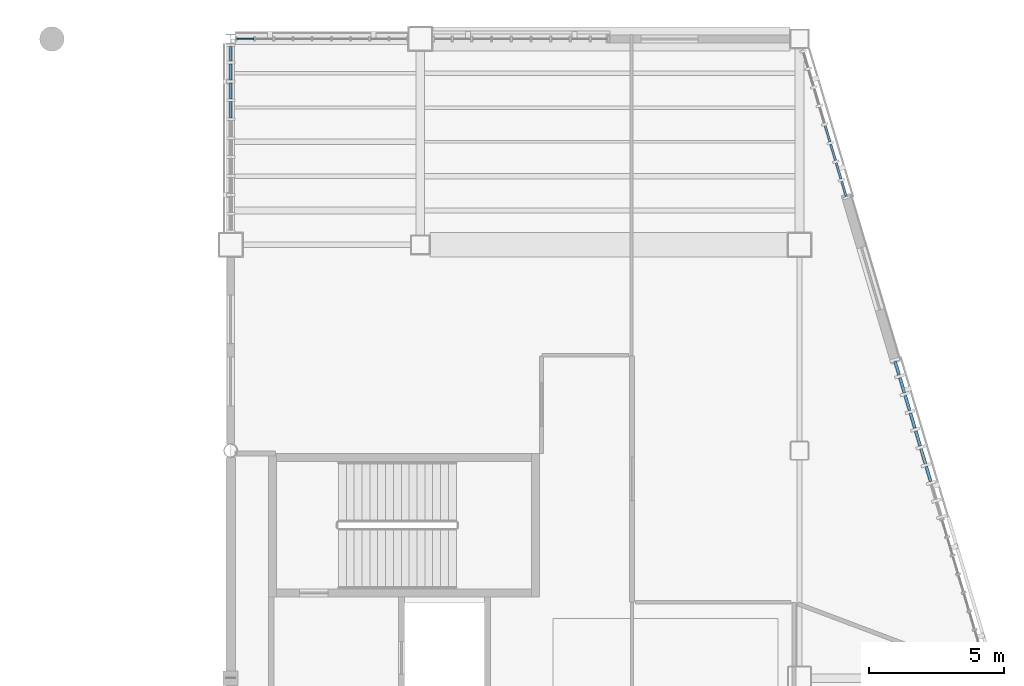
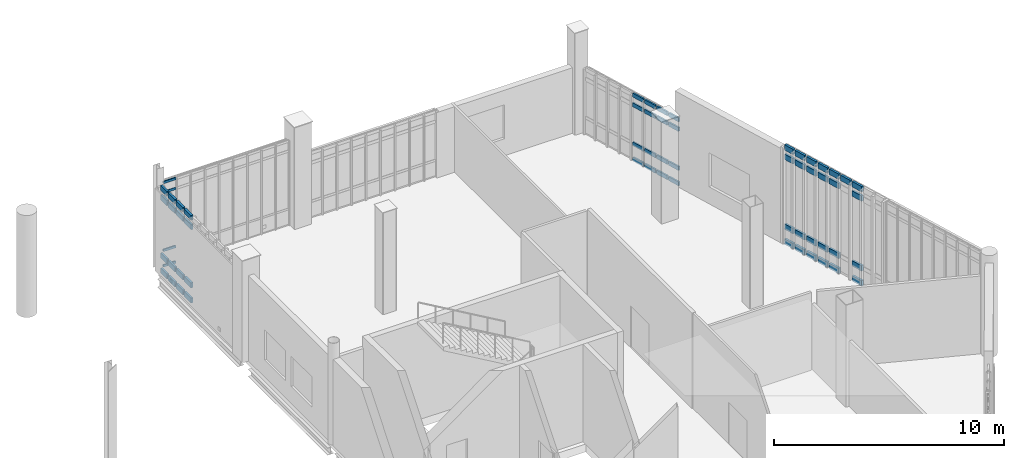
# One storey, part 65 of 127: 61 members, 4 elements without a shape of their own.
"""IFC4 building model written with IfcOpenShell, lengths in metres."""

from ifc_helpers import new_model, si_unit, direction, frame, origin, origin_2d, place, context, subcontext, project, spatial, rectangle, extrude, material, material_profile, profile_set, type_object, element, aggregate, save


model = new_model("IFC4")

# Units and contexts
model_context = context("Model", 3, precision=1e-05, world=origin(), true_north=direction((0.0, 1.0)))
body_context = subcontext(model_context, "Body", "Model", "MODEL_VIEW")
ifc_project = project(units=[si_unit("LENGTHUNIT", "METRE"), si_unit("AREAUNIT", "SQUARE_METRE"), si_unit("VOLUMEUNIT", "CUBIC_METRE"), si_unit("PLANEANGLEUNIT", "RADIAN"), si_unit("MASSUNIT", "GRAM", prefix="KILO")], contexts=[model_context])

# Site, building, storey
site_placement = place(None, origin())
site = spatial("IfcSite", under=ifc_project, at=site_placement, CompositionType="ELEMENT")
building_placement = place(site_placement, origin())
building = spatial("IfcBuilding", under=site, at=building_placement, Name="Larkvane Passage Sports Hall", CompositionType="ELEMENT")
storey_placement = place(building_placement, frame((0.0, 0.0, 5.39990234375)))
storey = spatial("IfcBuildingStorey", under=building, at=storey_placement, Name="L01", CompositionType="ELEMENT", Elevation=5.39990234375)

# Curtain wall, members
ifc_material_1 = material(Name="Thermally broken aluminium and low-E glazing", Category="aluminium")
curtain_wall_type_1 = type_object("IfcCurtainWallType", Name="CW-CLINIC", PredefinedType="USERDEFINED", material=ifc_material_1)
curtain_wall_1_placement = place(storey_placement, origin())
curtain_wall_1 = element("IfcCurtainWall", 1, at=curtain_wall_1_placement, inside=storey, type_object=curtain_wall_type_1, Name="Curtain wall CW5-L01-051", ObjectType="UNITISED CURTAIN WALL", PredefinedType="USERDEFINED")
ifc_material_2 = material(Name="Anodised aluminium 6063-T6", Category="aluminium")
ifc_material_profile_1 = material_profile(ifc_material_2, rectangle(XDim=0.10009765625, YDim=0.260009765625, at=origin_2d()), Name="ALU-TRN-100x260")
ifc_profile_set_1 = profile_set([ifc_material_profile_1], Name="Anodised aluminium 6063-T6")
member_type_1 = type_object("IfcMemberType", Name="CW-TRN-100x260", PredefinedType="USERDEFINED", material=ifc_profile_set_1)
member_1_placement = place(storey_placement, frame((124.60009765625, 96.285888671875, 0.050048828125), z_axis=(0.0, 1.0, 0.0), x_axis=(-1.0, 0.0, 0.0)))
member_1 = element("IfcMember", 2, at=member_1_placement, type_object=member_type_1, Name="CW-05 transom 7.1", ObjectType="TRANSOM", PredefinedType="USERDEFINED", context=body_context, shape_type="SweptSolid", body=[
    extrude(rectangle(XDim=0.10009765625, YDim=0.260009765625, at=origin_2d()), origin(), (0.0, 0.0, 1.0), 0.59814453125),
])
member_2_placement = place(storey_placement, frame((124.60009765625, 96.285888671875, 0.85009765625), z_axis=(0.0, 1.0, 0.0), x_axis=(-1.0, 0.0, 0.0)))
member_2 = element("IfcMember", 3, at=member_2_placement, type_object=member_type_1, Name="CW-05 transom 7.2", ObjectType="TRANSOM", PredefinedType="USERDEFINED", context=body_context, shape_type="SweptSolid", body=[
    extrude(rectangle(XDim=0.10009765625, YDim=0.260009765625, at=origin_2d()), origin(), (0.0, 0.0, 1.0), 0.59814453125),
])
member_3_placement = place(storey_placement, frame((124.60009765625, 96.285888671875, 3.93017578125), z_axis=(0.0, 1.0, 0.0), x_axis=(-1.0, 0.0, 0.0)))
member_3 = element("IfcMember", 4, at=member_3_placement, type_object=member_type_1, Name="CW-05 transom 7.3", ObjectType="TRANSOM", PredefinedType="USERDEFINED", context=body_context, shape_type="SweptSolid", body=[
    extrude(rectangle(XDim=0.10009765625, YDim=0.260009765625, at=origin_2d()), origin(), (0.0, 0.0, 1.0), 0.59814453125),
])
member_4_placement = place(storey_placement, frame((124.60009765625, 96.285888671875, 4.43017578125), z_axis=(0.0, 1.0, 0.0), x_axis=(-1.0, 0.0, 0.0)))
member_4 = element("IfcMember", 5, at=member_4_placement, type_object=member_type_1, Name="CW-05 transom 7.4", ObjectType="TRANSOM", PredefinedType="USERDEFINED", context=body_context, shape_type="SweptSolid", body=[
    extrude(rectangle(XDim=0.10009765625, YDim=0.260009765625, at=origin_2d()), origin(), (0.0, 0.0, 1.0), 0.59814453125),
])
member_5_placement = place(storey_placement, frame((124.60009765625, 96.984130859375, 0.050048828125), z_axis=(0.0, 1.0, 0.0), x_axis=(-1.0, 0.0, 0.0)))
member_5 = element("IfcMember", 6, at=member_5_placement, type_object=member_type_1, Name="CW-05 transom 8.1", ObjectType="TRANSOM", PredefinedType="USERDEFINED", context=body_context, shape_type="SweptSolid", body=[
    extrude(rectangle(XDim=0.10009765625, YDim=0.260009765625, at=origin_2d()), origin(), (0.0, 0.0, 1.0), 0.598388671875),
])
member_6_placement = place(storey_placement, frame((124.60009765625, 96.984130859375, 0.85009765625), z_axis=(0.0, 1.0, 0.0), x_axis=(-1.0, 0.0, 0.0)))
member_6 = element("IfcMember", 7, at=member_6_placement, type_object=member_type_1, Name="CW-05 transom 8.2", ObjectType="TRANSOM", PredefinedType="USERDEFINED", context=body_context, shape_type="SweptSolid", body=[
    extrude(rectangle(XDim=0.10009765625, YDim=0.260009765625, at=origin_2d()), origin(), (0.0, 0.0, 1.0), 0.598388671875),
])
member_7_placement = place(storey_placement, frame((124.60009765625, 96.984130859375, 3.93017578125), z_axis=(0.0, 1.0, 0.0), x_axis=(-1.0, 0.0, 0.0)))
member_7 = element("IfcMember", 8, at=member_7_placement, type_object=member_type_1, Name="CW-05 transom 8.3", ObjectType="TRANSOM", PredefinedType="USERDEFINED", context=body_context, shape_type="SweptSolid", body=[
    extrude(rectangle(XDim=0.10009765625, YDim=0.260009765625, at=origin_2d()), origin(), (0.0, 0.0, 1.0), 0.598388671875),
])
member_8_placement = place(storey_placement, frame((124.60009765625, 96.984130859375, 4.43017578125), z_axis=(0.0, 1.0, 0.0), x_axis=(-1.0, 0.0, 0.0)))
member_8 = element("IfcMember", 9, at=member_8_placement, type_object=member_type_1, Name="CW-05 transom 8.4", ObjectType="TRANSOM", PredefinedType="USERDEFINED", context=body_context, shape_type="SweptSolid", body=[
    extrude(rectangle(XDim=0.10009765625, YDim=0.260009765625, at=origin_2d()), origin(), (0.0, 0.0, 1.0), 0.598388671875),
])
member_9_placement = place(storey_placement, frame((124.60009765625, 97.682373046875, 0.050048828125), z_axis=(0.0, 1.0, 0.0), x_axis=(-1.0, 0.0, 0.0)))
member_9 = element("IfcMember", 10, at=member_9_placement, type_object=member_type_1, Name="CW-05 transom 9.1", ObjectType="TRANSOM", PredefinedType="USERDEFINED", context=body_context, shape_type="SweptSolid", body=[
    extrude(rectangle(XDim=0.10009765625, YDim=0.260009765625, at=origin_2d()), origin(), (0.0, 0.0, 1.0), 0.598388671875),
])
member_10_placement = place(storey_placement, frame((124.60009765625, 97.682373046875, 0.85009765625), z_axis=(0.0, 1.0, 0.0), x_axis=(-1.0, 0.0, 0.0)))
member_10 = element("IfcMember", 11, at=member_10_placement, type_object=member_type_1, Name="CW-05 transom 9.2", ObjectType="TRANSOM", PredefinedType="USERDEFINED", context=body_context, shape_type="SweptSolid", body=[
    extrude(rectangle(XDim=0.10009765625, YDim=0.260009765625, at=origin_2d()), origin(), (0.0, 0.0, 1.0), 0.598388671875),
])
member_11_placement = place(storey_placement, frame((124.60009765625, 97.682373046875, 3.93017578125), z_axis=(0.0, 1.0, 0.0), x_axis=(-1.0, 0.0, 0.0)))
member_11 = element("IfcMember", 12, at=member_11_placement, type_object=member_type_1, Name="CW-05 transom 9.3", ObjectType="TRANSOM", PredefinedType="USERDEFINED", context=body_context, shape_type="SweptSolid", body=[
    extrude(rectangle(XDim=0.10009765625, YDim=0.260009765625, at=origin_2d()), origin(), (0.0, 0.0, 1.0), 0.598388671875),
])
member_12_placement = place(storey_placement, frame((124.60009765625, 97.682373046875, 4.43017578125), z_axis=(0.0, 1.0, 0.0), x_axis=(-1.0, 0.0, 0.0)))
member_12 = element("IfcMember", 13, at=member_12_placement, type_object=member_type_1, Name="CW-05 transom 9.4", ObjectType="TRANSOM", PredefinedType="USERDEFINED", context=body_context, shape_type="SweptSolid", body=[
    extrude(rectangle(XDim=0.10009765625, YDim=0.260009765625, at=origin_2d()), origin(), (0.0, 0.0, 1.0), 0.598388671875),
])
member_13_placement = place(storey_placement, frame((124.60009765625, 98.380615234375, 0.050048828125), z_axis=(0.0, 1.0, 0.0), x_axis=(-1.0, 0.0, 0.0)))
member_13 = element("IfcMember", 14, at=member_13_placement, type_object=member_type_1, Name="CW-05 transom 10.1", ObjectType="TRANSOM", PredefinedType="USERDEFINED", context=body_context, shape_type="SweptSolid", body=[
    extrude(rectangle(XDim=0.10009765625, YDim=0.260009765625, at=origin_2d()), origin(), (0.0, 0.0, 1.0), 0.54833984375),
])
member_14_placement = place(storey_placement, frame((124.60009765625, 98.380615234375, 0.85009765625), z_axis=(0.0, 1.0, 0.0), x_axis=(-1.0, 0.0, 0.0)))
member_14 = element("IfcMember", 15, at=member_14_placement, type_object=member_type_1, Name="CW-05 transom 10.2", ObjectType="TRANSOM", PredefinedType="USERDEFINED", context=body_context, shape_type="SweptSolid", body=[
    extrude(rectangle(XDim=0.10009765625, YDim=0.260009765625, at=origin_2d()), origin(), (0.0, 0.0, 1.0), 0.54833984375),
])
member_15_placement = place(storey_placement, frame((124.60009765625, 98.380615234375, 3.93017578125), z_axis=(0.0, 1.0, 0.0), x_axis=(-1.0, 0.0, 0.0)))
member_15 = element("IfcMember", 16, at=member_15_placement, type_object=member_type_1, Name="CW-05 transom 10.3", ObjectType="TRANSOM", PredefinedType="USERDEFINED", context=body_context, shape_type="SweptSolid", body=[
    extrude(rectangle(XDim=0.10009765625, YDim=0.260009765625, at=origin_2d()), origin(), (0.0, 0.0, 1.0), 0.54833984375),
])
member_16_placement = place(storey_placement, frame((124.60009765625, 98.380615234375, 4.43017578125), z_axis=(0.0, 1.0, 0.0), x_axis=(-1.0, 0.0, 0.0)))
member_16 = element("IfcMember", 17, at=member_16_placement, type_object=member_type_1, Name="CW-05 transom 10.4", ObjectType="TRANSOM", PredefinedType="USERDEFINED", context=body_context, shape_type="SweptSolid", body=[
    extrude(rectangle(XDim=0.10009765625, YDim=0.260009765625, at=origin_2d()), origin(), (0.0, 0.0, 1.0), 0.54833984375),
])
aggregate(curtain_wall_1, [member_1, member_2, member_3, member_4, member_5, member_6, member_7, member_8, member_9, member_10, member_11, member_12, member_13, member_14, member_15, member_16])

curtain_wall_2_placement = place(storey_placement, origin())
curtain_wall_2 = element("IfcCurtainWall", 18, at=curtain_wall_2_placement, inside=storey, type_object=curtain_wall_type_1, Name="Curtain wall CW5-L01-055", ObjectType="UNITISED CURTAIN WALL", PredefinedType="USERDEFINED")
ifc_material_profile_2 = material_profile(ifc_material_2, rectangle(XDim=0.110107421875, YDim=0.2900390625, at=origin_2d()), Name="ALU-TRN-110x290")
ifc_profile_set_2 = profile_set([ifc_material_profile_2], Name="Anodised aluminium 6063-T6")
member_type_2 = type_object("IfcMemberType", Name="CW-TRN-110x290", PredefinedType="USERDEFINED", material=ifc_profile_set_2)
member_17_placement = place(storey_placement, frame((149.13134765625, 87.29443359375, 0.05517578125), z_axis=(0.284280625245, -0.958741115271, 0.0), x_axis=(0.958741115271, 0.284280625245, 0.0)))
member_17 = element("IfcMember", 19, at=member_17_placement, type_object=member_type_2, Name="CW-05 transom 1.1", ObjectType="TRANSOM", PredefinedType="USERDEFINED", context=body_context, shape_type="SweptSolid", body=[
    extrude(rectangle(XDim=0.110107421875, YDim=0.2900390625, at=origin_2d()), origin(), (0.0, 0.0, 1.0), 0.518798828125),
])
member_18_placement = place(storey_placement, frame((149.13134765625, 87.29443359375, 0.85009765625), z_axis=(0.284280625245, -0.958741115271, 0.0), x_axis=(0.958741115271, 0.284280625245, 0.0)))
member_18 = element("IfcMember", 20, at=member_18_placement, type_object=member_type_2, Name="CW-05 transom 1.2", ObjectType="TRANSOM", PredefinedType="USERDEFINED", context=body_context, shape_type="SweptSolid", body=[
    extrude(rectangle(XDim=0.110107421875, YDim=0.2900390625, at=origin_2d()), origin(), (0.0, 0.0, 1.0), 0.518798828125),
])
member_19_placement = place(storey_placement, frame((149.13134765625, 87.29443359375, 4.550048828125), z_axis=(0.284280625245, -0.958741115271, 0.0), x_axis=(0.958741115271, 0.284280625245, 0.0)))
member_19 = element("IfcMember", 21, at=member_19_placement, type_object=member_type_2, Name="CW-05 transom 1.3", ObjectType="TRANSOM", PredefinedType="USERDEFINED", context=body_context, shape_type="SweptSolid", body=[
    extrude(rectangle(XDim=0.110107421875, YDim=0.2900390625, at=origin_2d()), origin(), (0.0, 0.0, 1.0), 0.518798828125),
])
member_20_placement = place(storey_placement, frame((149.13134765625, 87.29443359375, 5.045166015625), z_axis=(0.284280625245, -0.958741115271, 0.0), x_axis=(0.958741115271, 0.284280625245, 0.0)))
member_20 = element("IfcMember", 22, at=member_20_placement, type_object=member_type_2, Name="CW-05 transom 1.4", ObjectType="TRANSOM", PredefinedType="USERDEFINED", context=body_context, shape_type="SweptSolid", body=[
    extrude(rectangle(XDim=0.110107421875, YDim=0.2900390625, at=origin_2d()), origin(), (0.0, 0.0, 1.0), 0.518798828125),
])
member_21_placement = place(storey_placement, frame((149.31005859375, 86.691650390625, 0.05517578125), z_axis=(0.284262190939, -0.958746581116, 0.0), x_axis=(0.958746581116, 0.284262190939, 0.0)))
member_21 = element("IfcMember", 23, at=member_21_placement, type_object=member_type_2, Name="CW-05 transom 2.1", ObjectType="TRANSOM", PredefinedType="USERDEFINED", context=body_context, shape_type="SweptSolid", body=[
    extrude(rectangle(XDim=0.110107421875, YDim=0.2900390625, at=origin_2d()), origin(), (0.0, 0.0, 1.0), 0.57373046875),
])
member_22_placement = place(storey_placement, frame((149.31005859375, 86.691650390625, 0.85009765625), z_axis=(0.284262190939, -0.958746581116, 0.0), x_axis=(0.958746581116, 0.284262190939, 0.0)))
member_22 = element("IfcMember", 24, at=member_22_placement, type_object=member_type_2, Name="CW-05 transom 2.2", ObjectType="TRANSOM", PredefinedType="USERDEFINED", context=body_context, shape_type="SweptSolid", body=[
    extrude(rectangle(XDim=0.110107421875, YDim=0.2900390625, at=origin_2d()), origin(), (0.0, 0.0, 1.0), 0.57373046875),
])
member_23_placement = place(storey_placement, frame((149.31005859375, 86.691650390625, 4.550048828125), z_axis=(0.284262190939, -0.958746581116, 0.0), x_axis=(0.958746581116, 0.284262190939, 0.0)))
member_23 = element("IfcMember", 25, at=member_23_placement, type_object=member_type_2, Name="CW-05 transom 2.3", ObjectType="TRANSOM", PredefinedType="USERDEFINED", context=body_context, shape_type="SweptSolid", body=[
    extrude(rectangle(XDim=0.110107421875, YDim=0.2900390625, at=origin_2d()), origin(), (0.0, 0.0, 1.0), 0.57373046875),
])
member_24_placement = place(storey_placement, frame((149.31005859375, 86.691650390625, 5.045166015625), z_axis=(0.284262190939, -0.958746581116, 0.0), x_axis=(0.958746581116, 0.284262190939, 0.0)))
member_24 = element("IfcMember", 26, at=member_24_placement, type_object=member_type_2, Name="CW-05 transom 2.4", ObjectType="TRANSOM", PredefinedType="USERDEFINED", context=body_context, shape_type="SweptSolid", body=[
    extrude(rectangle(XDim=0.110107421875, YDim=0.2900390625, at=origin_2d()), origin(), (0.0, 0.0, 1.0), 0.57373046875),
])
member_25_placement = place(storey_placement, frame((149.504638671875, 86.0361328125, 0.05517578125), z_axis=(0.284262190939, -0.958746581116, 0.0), x_axis=(0.958746581116, 0.284262190939, 0.0)))
member_25 = element("IfcMember", 27, at=member_25_placement, type_object=member_type_2, Name="CW-05 transom 3.1", ObjectType="TRANSOM", PredefinedType="USERDEFINED", context=body_context, shape_type="SweptSolid", body=[
    extrude(rectangle(XDim=0.110107421875, YDim=0.2900390625, at=origin_2d()), origin(), (0.0, 0.0, 1.0), 0.57373046875),
])
member_26_placement = place(storey_placement, frame((149.504638671875, 86.0361328125, 0.85009765625), z_axis=(0.284262190939, -0.958746581116, 0.0), x_axis=(0.958746581116, 0.284262190939, 0.0)))
member_26 = element("IfcMember", 28, at=member_26_placement, type_object=member_type_2, Name="CW-05 transom 3.2", ObjectType="TRANSOM", PredefinedType="USERDEFINED", context=body_context, shape_type="SweptSolid", body=[
    extrude(rectangle(XDim=0.110107421875, YDim=0.2900390625, at=origin_2d()), origin(), (0.0, 0.0, 1.0), 0.57373046875),
])
member_27_placement = place(storey_placement, frame((149.504638671875, 86.0361328125, 4.550048828125), z_axis=(0.284262190939, -0.958746581116, 0.0), x_axis=(0.958746581116, 0.284262190939, 0.0)))
member_27 = element("IfcMember", 29, at=member_27_placement, type_object=member_type_2, Name="CW-05 transom 3.3", ObjectType="TRANSOM", PredefinedType="USERDEFINED", context=body_context, shape_type="SweptSolid", body=[
    extrude(rectangle(XDim=0.110107421875, YDim=0.2900390625, at=origin_2d()), origin(), (0.0, 0.0, 1.0), 0.57373046875),
])
member_28_placement = place(storey_placement, frame((149.504638671875, 86.0361328125, 5.045166015625), z_axis=(0.284262190939, -0.958746581116, 0.0), x_axis=(0.958746581116, 0.284262190939, 0.0)))
member_28 = element("IfcMember", 30, at=member_28_placement, type_object=member_type_2, Name="CW-05 transom 3.4", ObjectType="TRANSOM", PredefinedType="USERDEFINED", context=body_context, shape_type="SweptSolid", body=[
    extrude(rectangle(XDim=0.110107421875, YDim=0.2900390625, at=origin_2d()), origin(), (0.0, 0.0, 1.0), 0.57373046875),
])
member_29_placement = place(storey_placement, frame((149.698974609375, 85.380615234375, 0.05517578125), z_axis=(0.284262190939, -0.958746581116, 0.0), x_axis=(0.958746581116, 0.284262190939, 0.0)))
member_29 = element("IfcMember", 31, at=member_29_placement, type_object=member_type_2, Name="CW-05 transom 4.1", ObjectType="TRANSOM", PredefinedType="USERDEFINED", context=body_context, shape_type="SweptSolid", body=[
    extrude(rectangle(XDim=0.110107421875, YDim=0.2900390625, at=origin_2d()), origin(), (0.0, 0.0, 1.0), 0.57373046875),
])
member_30_placement = place(storey_placement, frame((149.698974609375, 85.380615234375, 0.85009765625), z_axis=(0.284262190939, -0.958746581116, 0.0), x_axis=(0.958746581116, 0.284262190939, 0.0)))
member_30 = element("IfcMember", 32, at=member_30_placement, type_object=member_type_2, Name="CW-05 transom 4.2", ObjectType="TRANSOM", PredefinedType="USERDEFINED", context=body_context, shape_type="SweptSolid", body=[
    extrude(rectangle(XDim=0.110107421875, YDim=0.2900390625, at=origin_2d()), origin(), (0.0, 0.0, 1.0), 0.57373046875),
])
member_31_placement = place(storey_placement, frame((149.698974609375, 85.380615234375, 4.550048828125), z_axis=(0.284262190939, -0.958746581116, 0.0), x_axis=(0.958746581116, 0.284262190939, 0.0)))
member_31 = element("IfcMember", 33, at=member_31_placement, type_object=member_type_2, Name="CW-05 transom 4.3", ObjectType="TRANSOM", PredefinedType="USERDEFINED", context=body_context, shape_type="SweptSolid", body=[
    extrude(rectangle(XDim=0.110107421875, YDim=0.2900390625, at=origin_2d()), origin(), (0.0, 0.0, 1.0), 0.57373046875),
])
member_32_placement = place(storey_placement, frame((149.698974609375, 85.380615234375, 5.045166015625), z_axis=(0.284262190939, -0.958746581116, 0.0), x_axis=(0.958746581116, 0.284262190939, 0.0)))
member_32 = element("IfcMember", 34, at=member_32_placement, type_object=member_type_2, Name="CW-05 transom 4.4", ObjectType="TRANSOM", PredefinedType="USERDEFINED", context=body_context, shape_type="SweptSolid", body=[
    extrude(rectangle(XDim=0.110107421875, YDim=0.2900390625, at=origin_2d()), origin(), (0.0, 0.0, 1.0), 0.57373046875),
])
member_33_placement = place(storey_placement, frame((149.893310546875, 84.72509765625, 0.05517578125), z_axis=(0.284653276211, -0.958630540064, 0.0), x_axis=(0.958630540064, 0.284653276211, 0.0)))
member_33 = element("IfcMember", 35, at=member_33_placement, type_object=member_type_2, Name="CW-05 transom 5.1", ObjectType="TRANSOM", PredefinedType="USERDEFINED", context=body_context, shape_type="SweptSolid", body=[
    extrude(rectangle(XDim=0.110107421875, YDim=0.2900390625, at=origin_2d()), origin(), (0.0, 0.0, 1.0), 0.57373046875),
])
member_34_placement = place(storey_placement, frame((149.893310546875, 84.72509765625, 0.85009765625), z_axis=(0.284653276211, -0.958630540064, 0.0), x_axis=(0.958630540064, 0.284653276211, 0.0)))
member_34 = element("IfcMember", 36, at=member_34_placement, type_object=member_type_2, Name="CW-05 transom 5.2", ObjectType="TRANSOM", PredefinedType="USERDEFINED", context=body_context, shape_type="SweptSolid", body=[
    extrude(rectangle(XDim=0.110107421875, YDim=0.2900390625, at=origin_2d()), origin(), (0.0, 0.0, 1.0), 0.57373046875),
])
member_35_placement = place(storey_placement, frame((149.893310546875, 84.72509765625, 4.550048828125), z_axis=(0.284653276211, -0.958630540064, 0.0), x_axis=(0.958630540064, 0.284653276211, 0.0)))
member_35 = element("IfcMember", 37, at=member_35_placement, type_object=member_type_2, Name="CW-05 transom 5.3", ObjectType="TRANSOM", PredefinedType="USERDEFINED", context=body_context, shape_type="SweptSolid", body=[
    extrude(rectangle(XDim=0.110107421875, YDim=0.2900390625, at=origin_2d()), origin(), (0.0, 0.0, 1.0), 0.57373046875),
])
member_36_placement = place(storey_placement, frame((149.893310546875, 84.72509765625, 5.045166015625), z_axis=(0.284653276211, -0.958630540064, 0.0), x_axis=(0.958630540064, 0.284653276211, 0.0)))
member_36 = element("IfcMember", 38, at=member_36_placement, type_object=member_type_2, Name="CW-05 transom 5.4", ObjectType="TRANSOM", PredefinedType="USERDEFINED", context=body_context, shape_type="SweptSolid", body=[
    extrude(rectangle(XDim=0.110107421875, YDim=0.2900390625, at=origin_2d()), origin(), (0.0, 0.0, 1.0), 0.57373046875),
])
member_37_placement = place(storey_placement, frame((150.087890625, 84.069580078125, 5.045166015625), z_axis=(0.284146260843, -0.958780946019, 0.0), x_axis=(0.958780946019, 0.284146260843, 0.0)))
member_37 = element("IfcMember", 39, at=member_37_placement, type_object=member_type_2, Name="CW-05 transom 6.4", ObjectType="TRANSOM", PredefinedType="USERDEFINED", context=body_context, shape_type="SweptSolid", body=[
    extrude(rectangle(XDim=0.110107421875, YDim=0.2900390625, at=origin_2d()), origin(), (0.0, 0.0, 1.0), 0.573974609375),
])
member_38_placement = place(storey_placement, frame((150.2822265625, 83.413818359375, 0.05517578125), z_axis=(0.284653276211, -0.958630540064, 0.0), x_axis=(0.958630540064, 0.284653276211, 0.0)))
member_38 = element("IfcMember", 40, at=member_38_placement, type_object=member_type_2, Name="CW-05 transom 7.1", ObjectType="TRANSOM", PredefinedType="USERDEFINED", context=body_context, shape_type="SweptSolid", body=[
    extrude(rectangle(XDim=0.110107421875, YDim=0.2900390625, at=origin_2d()), origin(), (0.0, 0.0, 1.0), 0.57373046875),
])
member_39_placement = place(storey_placement, frame((150.2822265625, 83.413818359375, 0.85009765625), z_axis=(0.284653276211, -0.958630540064, 0.0), x_axis=(0.958630540064, 0.284653276211, 0.0)))
member_39 = element("IfcMember", 41, at=member_39_placement, type_object=member_type_2, Name="CW-05 transom 7.2", ObjectType="TRANSOM", PredefinedType="USERDEFINED", context=body_context, shape_type="SweptSolid", body=[
    extrude(rectangle(XDim=0.110107421875, YDim=0.2900390625, at=origin_2d()), origin(), (0.0, 0.0, 1.0), 0.57373046875),
])
member_40_placement = place(storey_placement, frame((150.2822265625, 83.413818359375, 4.550048828125), z_axis=(0.284653276211, -0.958630540064, 0.0), x_axis=(0.958630540064, 0.284653276211, 0.0)))
member_40 = element("IfcMember", 42, at=member_40_placement, type_object=member_type_2, Name="CW-05 transom 7.3", ObjectType="TRANSOM", PredefinedType="USERDEFINED", context=body_context, shape_type="SweptSolid", body=[
    extrude(rectangle(XDim=0.110107421875, YDim=0.2900390625, at=origin_2d()), origin(), (0.0, 0.0, 1.0), 0.57373046875),
])
member_41_placement = place(storey_placement, frame((150.2822265625, 83.413818359375, 5.045166015625), z_axis=(0.284653276211, -0.958630540064, 0.0), x_axis=(0.958630540064, 0.284653276211, 0.0)))
member_41 = element("IfcMember", 43, at=member_41_placement, type_object=member_type_2, Name="CW-05 transom 7.4", ObjectType="TRANSOM", PredefinedType="USERDEFINED", context=body_context, shape_type="SweptSolid", body=[
    extrude(rectangle(XDim=0.110107421875, YDim=0.2900390625, at=origin_2d()), origin(), (0.0, 0.0, 1.0), 0.57373046875),
])
aggregate(curtain_wall_2, [member_17, member_18, member_19, member_20, member_21, member_22, member_23, member_24, member_25, member_26, member_27, member_28, member_29, member_30, member_31, member_32, member_33, member_34, member_35, member_36, member_37, member_38, member_39, member_40, member_41])

curtain_wall_type_2 = type_object("IfcCurtainWallType", Name="CW-UNIT-COURT", PredefinedType="USERDEFINED", material=ifc_material_1)
curtain_wall_3_placement = place(storey_placement, origin())
curtain_wall_3 = element("IfcCurtainWall", 44, at=curtain_wall_3_placement, inside=storey, type_object=curtain_wall_type_2, Name="Curtain wall CW5-L01-052", ObjectType="UNITISED CURTAIN WALL", PredefinedType="USERDEFINED")
ifc_material_profile_3 = material_profile(ifc_material_2, rectangle(XDim=0.06005859375, YDim=0.1201171875, at=origin_2d()), Name="ALU-TRN-60x120")
ifc_profile_set_3 = profile_set([ifc_material_profile_3], Name="Anodised aluminium 6063-T6")
member_type_3 = type_object("IfcMemberType", Name="CW-TRN-60x120", PredefinedType="USERDEFINED", material=ifc_profile_set_3)
member_42_placement = place(storey_placement, frame((124.8310546875, 99.199951171875, 0.030029296875), z_axis=(1.0, 0.0, 0.0), x_axis=(0.0, 1.0, 0.0)))
member_42 = element("IfcMember", 45, at=member_42_placement, type_object=member_type_3, Name="CW-01 transom 1.1", ObjectType="TRANSOM", PredefinedType="USERDEFINED", context=body_context, shape_type="SweptSolid", body=[
    extrude(rectangle(XDim=0.06005859375, YDim=0.1201171875, at=origin_2d()), origin(), (0.0, 0.0, 1.0), 0.619140625),
])
member_43_placement = place(storey_placement, frame((124.8310546875, 99.199951171875, 0.85009765625), z_axis=(1.0, 0.0, 0.0), x_axis=(0.0, 1.0, 0.0)))
member_43 = element("IfcMember", 46, at=member_43_placement, type_object=member_type_3, Name="CW-01 transom 1.2", ObjectType="TRANSOM", PredefinedType="USERDEFINED", context=body_context, shape_type="SweptSolid", body=[
    extrude(rectangle(XDim=0.06005859375, YDim=0.1201171875, at=origin_2d()), origin(), (0.0, 0.0, 1.0), 0.619140625),
])
member_44_placement = place(storey_placement, frame((124.8310546875, 99.199951171875, 3.93017578125), z_axis=(1.0, 0.0, 0.0), x_axis=(0.0, 1.0, 0.0)))
member_44 = element("IfcMember", 47, at=member_44_placement, type_object=member_type_3, Name="CW-01 transom 1.3", ObjectType="TRANSOM", PredefinedType="USERDEFINED", context=body_context, shape_type="SweptSolid", body=[
    extrude(rectangle(XDim=0.06005859375, YDim=0.1201171875, at=origin_2d()), origin(), (0.0, 0.0, 1.0), 0.619140625),
])
member_45_placement = place(storey_placement, frame((124.8310546875, 99.199951171875, 4.4501953125), z_axis=(1.0, 0.0, 0.0), x_axis=(0.0, 1.0, 0.0)))
member_45 = element("IfcMember", 48, at=member_45_placement, type_object=member_type_3, Name="CW-01 transom 1.4", ObjectType="TRANSOM", PredefinedType="USERDEFINED", context=body_context, shape_type="SweptSolid", body=[
    extrude(rectangle(XDim=0.06005859375, YDim=0.1201171875, at=origin_2d()), origin(), (0.0, 0.0, 1.0), 0.619140625),
])
aggregate(curtain_wall_3, [member_42, member_43, member_44, member_45])

curtain_wall_type_3 = type_object("IfcCurtainWallType", Name="CW-STICK-FOYER", PredefinedType="USERDEFINED", material=ifc_material_1)
curtain_wall_4_placement = place(storey_placement, origin())
curtain_wall_4 = element("IfcCurtainWall", 49, at=curtain_wall_4_placement, inside=storey, type_object=curtain_wall_type_3, Name="Curtain wall CW5-L01-054", ObjectType="STICK CURTAIN WALL", PredefinedType="USERDEFINED")
ifc_material_profile_4 = material_profile(ifc_material_2, rectangle(XDim=0.080078125, YDim=0.2099609375, at=origin_2d()), Name="ALU-TRN-80x210")
ifc_profile_set_4 = profile_set([ifc_material_profile_4], Name="Anodised aluminium 6063-T6")
member_type_4 = type_object("IfcMemberType", Name="CW-TRN-80x210", PredefinedType="USERDEFINED", material=ifc_profile_set_4)
member_46_placement = place(storey_placement, frame((146.547607421875, 96.0048828125, 0.0400390625), z_axis=(0.284349981956, -0.958720547272, 0.0), x_axis=(0.958720547272, 0.284349981956, 0.0)))
member_46 = element("IfcMember", 50, at=member_46_placement, type_object=member_type_4, Name="CW-03 transom 5.1", ObjectType="TRANSOM", PredefinedType="USERDEFINED", context=body_context, shape_type="SweptSolid", body=[
    extrude(rectangle(XDim=0.080078125, YDim=0.2099609375, at=origin_2d()), origin(), (0.0, 0.0, 1.0), 0.63525390625),
])
member_47_placement = place(storey_placement, frame((146.547607421875, 96.0048828125, 0.85009765625), z_axis=(0.284349981956, -0.958720547272, 0.0), x_axis=(0.958720547272, 0.284349981956, 0.0)))
member_47 = element("IfcMember", 51, at=member_47_placement, type_object=member_type_4, Name="CW-03 transom 5.2", ObjectType="TRANSOM", PredefinedType="USERDEFINED", context=body_context, shape_type="SweptSolid", body=[
    extrude(rectangle(XDim=0.080078125, YDim=0.2099609375, at=origin_2d()), origin(), (0.0, 0.0, 1.0), 0.63525390625),
])
member_48_placement = place(storey_placement, frame((146.547607421875, 96.0048828125, 2.918212890625), z_axis=(0.284349981956, -0.958720547272, 0.0), x_axis=(0.958720547272, 0.284349981956, 0.0)))
member_48 = element("IfcMember", 52, at=member_48_placement, type_object=member_type_4, Name="CW-03 transom 5.3", ObjectType="TRANSOM", PredefinedType="USERDEFINED", context=body_context, shape_type="SweptSolid", body=[
    extrude(rectangle(XDim=0.080078125, YDim=0.2099609375, at=origin_2d()), origin(), (0.0, 0.0, 1.0), 0.63525390625),
])
member_49_placement = place(storey_placement, frame((146.547607421875, 96.0048828125, 3.427978515625), z_axis=(0.284349981956, -0.958720547272, 0.0), x_axis=(0.958720547272, 0.284349981956, 0.0)))
member_49 = element("IfcMember", 53, at=member_49_placement, type_object=member_type_4, Name="CW-03 transom 5.4", ObjectType="TRANSOM", PredefinedType="USERDEFINED", context=body_context, shape_type="SweptSolid", body=[
    extrude(rectangle(XDim=0.080078125, YDim=0.2099609375, at=origin_2d()), origin(), (0.0, 0.0, 1.0), 0.63525390625),
])
member_50_placement = place(storey_placement, frame((146.751220703125, 95.319091796875, 0.0400390625), z_axis=(0.284349981956, -0.958720547272, 0.0), x_axis=(0.958720547272, 0.284349981956, 0.0)))
member_50 = element("IfcMember", 54, at=member_50_placement, type_object=member_type_4, Name="CW-03 transom 6.1", ObjectType="TRANSOM", PredefinedType="USERDEFINED", context=body_context, shape_type="SweptSolid", body=[
    extrude(rectangle(XDim=0.080078125, YDim=0.2099609375, at=origin_2d()), origin(), (0.0, 0.0, 1.0), 0.63525390625),
])
member_51_placement = place(storey_placement, frame((146.751220703125, 95.319091796875, 0.85009765625), z_axis=(0.284349981956, -0.958720547272, 0.0), x_axis=(0.958720547272, 0.284349981956, 0.0)))
member_51 = element("IfcMember", 55, at=member_51_placement, type_object=member_type_4, Name="CW-03 transom 6.2", ObjectType="TRANSOM", PredefinedType="USERDEFINED", context=body_context, shape_type="SweptSolid", body=[
    extrude(rectangle(XDim=0.080078125, YDim=0.2099609375, at=origin_2d()), origin(), (0.0, 0.0, 1.0), 0.63525390625),
])
member_52_placement = place(storey_placement, frame((146.751220703125, 95.319091796875, 2.918212890625), z_axis=(0.284349981956, -0.958720547272, 0.0), x_axis=(0.958720547272, 0.284349981956, 0.0)))
member_52 = element("IfcMember", 56, at=member_52_placement, type_object=member_type_4, Name="CW-03 transom 6.3", ObjectType="TRANSOM", PredefinedType="USERDEFINED", context=body_context, shape_type="SweptSolid", body=[
    extrude(rectangle(XDim=0.080078125, YDim=0.2099609375, at=origin_2d()), origin(), (0.0, 0.0, 1.0), 0.63525390625),
])
member_53_placement = place(storey_placement, frame((146.751220703125, 95.319091796875, 3.427978515625), z_axis=(0.284349981956, -0.958720547272, 0.0), x_axis=(0.958720547272, 0.284349981956, 0.0)))
member_53 = element("IfcMember", 57, at=member_53_placement, type_object=member_type_4, Name="CW-03 transom 6.4", ObjectType="TRANSOM", PredefinedType="USERDEFINED", context=body_context, shape_type="SweptSolid", body=[
    extrude(rectangle(XDim=0.080078125, YDim=0.2099609375, at=origin_2d()), origin(), (0.0, 0.0, 1.0), 0.63525390625),
])
member_54_placement = place(storey_placement, frame((146.95458984375, 94.63330078125, 0.0400390625), z_axis=(0.284349981956, -0.958720547272, 0.0), x_axis=(0.958720547272, 0.284349981956, 0.0)))
member_54 = element("IfcMember", 58, at=member_54_placement, type_object=member_type_4, Name="CW-03 transom 7.1", ObjectType="TRANSOM", PredefinedType="USERDEFINED", context=body_context, shape_type="SweptSolid", body=[
    extrude(rectangle(XDim=0.080078125, YDim=0.2099609375, at=origin_2d()), origin(), (0.0, 0.0, 1.0), 0.63525390625),
])
member_55_placement = place(storey_placement, frame((146.95458984375, 94.63330078125, 0.85009765625), z_axis=(0.284349981956, -0.958720547272, 0.0), x_axis=(0.958720547272, 0.284349981956, 0.0)))
member_55 = element("IfcMember", 59, at=member_55_placement, type_object=member_type_4, Name="CW-03 transom 7.2", ObjectType="TRANSOM", PredefinedType="USERDEFINED", context=body_context, shape_type="SweptSolid", body=[
    extrude(rectangle(XDim=0.080078125, YDim=0.2099609375, at=origin_2d()), origin(), (0.0, 0.0, 1.0), 0.63525390625),
])
member_56_placement = place(storey_placement, frame((146.95458984375, 94.63330078125, 2.918212890625), z_axis=(0.284349981956, -0.958720547272, 0.0), x_axis=(0.958720547272, 0.284349981956, 0.0)))
member_56 = element("IfcMember", 60, at=member_56_placement, type_object=member_type_4, Name="CW-03 transom 7.3", ObjectType="TRANSOM", PredefinedType="USERDEFINED", context=body_context, shape_type="SweptSolid", body=[
    extrude(rectangle(XDim=0.080078125, YDim=0.2099609375, at=origin_2d()), origin(), (0.0, 0.0, 1.0), 0.63525390625),
])
member_57_placement = place(storey_placement, frame((146.95458984375, 94.63330078125, 3.427978515625), z_axis=(0.284349981956, -0.958720547272, 0.0), x_axis=(0.958720547272, 0.284349981956, 0.0)))
member_57 = element("IfcMember", 61, at=member_57_placement, type_object=member_type_4, Name="CW-03 transom 7.4", ObjectType="TRANSOM", PredefinedType="USERDEFINED", context=body_context, shape_type="SweptSolid", body=[
    extrude(rectangle(XDim=0.080078125, YDim=0.2099609375, at=origin_2d()), origin(), (0.0, 0.0, 1.0), 0.63525390625),
])
member_58_placement = place(storey_placement, frame((147.157958984375, 93.947509765625, 0.0400390625), z_axis=(0.284186065026, -0.958769148672, 0.0), x_axis=(0.958769148672, 0.284186065026, 0.0)))
member_58 = element("IfcMember", 62, at=member_58_placement, type_object=member_type_4, Name="CW-03 transom 8.1", ObjectType="TRANSOM", PredefinedType="USERDEFINED", context=body_context, shape_type="SweptSolid", body=[
    extrude(rectangle(XDim=0.080078125, YDim=0.2099609375, at=origin_2d()), origin(), (0.0, 0.0, 1.0), 0.595458984375),
])
member_59_placement = place(storey_placement, frame((147.157958984375, 93.947509765625, 0.85009765625), z_axis=(0.284186065026, -0.958769148672, 0.0), x_axis=(0.958769148672, 0.284186065026, 0.0)))
member_59 = element("IfcMember", 63, at=member_59_placement, type_object=member_type_4, Name="CW-03 transom 8.2", ObjectType="TRANSOM", PredefinedType="USERDEFINED", context=body_context, shape_type="SweptSolid", body=[
    extrude(rectangle(XDim=0.080078125, YDim=0.2099609375, at=origin_2d()), origin(), (0.0, 0.0, 1.0), 0.595458984375),
])
member_60_placement = place(storey_placement, frame((147.157958984375, 93.947509765625, 2.918212890625), z_axis=(0.284186065026, -0.958769148672, 0.0), x_axis=(0.958769148672, 0.284186065026, 0.0)))
member_60 = element("IfcMember", 64, at=member_60_placement, type_object=member_type_4, Name="CW-03 transom 8.3", ObjectType="TRANSOM", PredefinedType="USERDEFINED", context=body_context, shape_type="SweptSolid", body=[
    extrude(rectangle(XDim=0.080078125, YDim=0.2099609375, at=origin_2d()), origin(), (0.0, 0.0, 1.0), 0.595458984375),
])
member_61_placement = place(storey_placement, frame((147.157958984375, 93.947509765625, 3.427978515625), z_axis=(0.284186065026, -0.958769148672, 0.0), x_axis=(0.958769148672, 0.284186065026, 0.0)))
member_61 = element("IfcMember", 65, at=member_61_placement, type_object=member_type_4, Name="CW-03 transom 8.4", ObjectType="TRANSOM", PredefinedType="USERDEFINED", context=body_context, shape_type="SweptSolid", body=[
    extrude(rectangle(XDim=0.080078125, YDim=0.2099609375, at=origin_2d()), origin(), (0.0, 0.0, 1.0), 0.595458984375),
])
aggregate(curtain_wall_4, [member_46, member_47, member_48, member_49, member_50, member_51, member_52, member_53, member_54, member_55, member_56, member_57, member_58, member_59, member_60, member_61])

save(model, "model.ifc")
